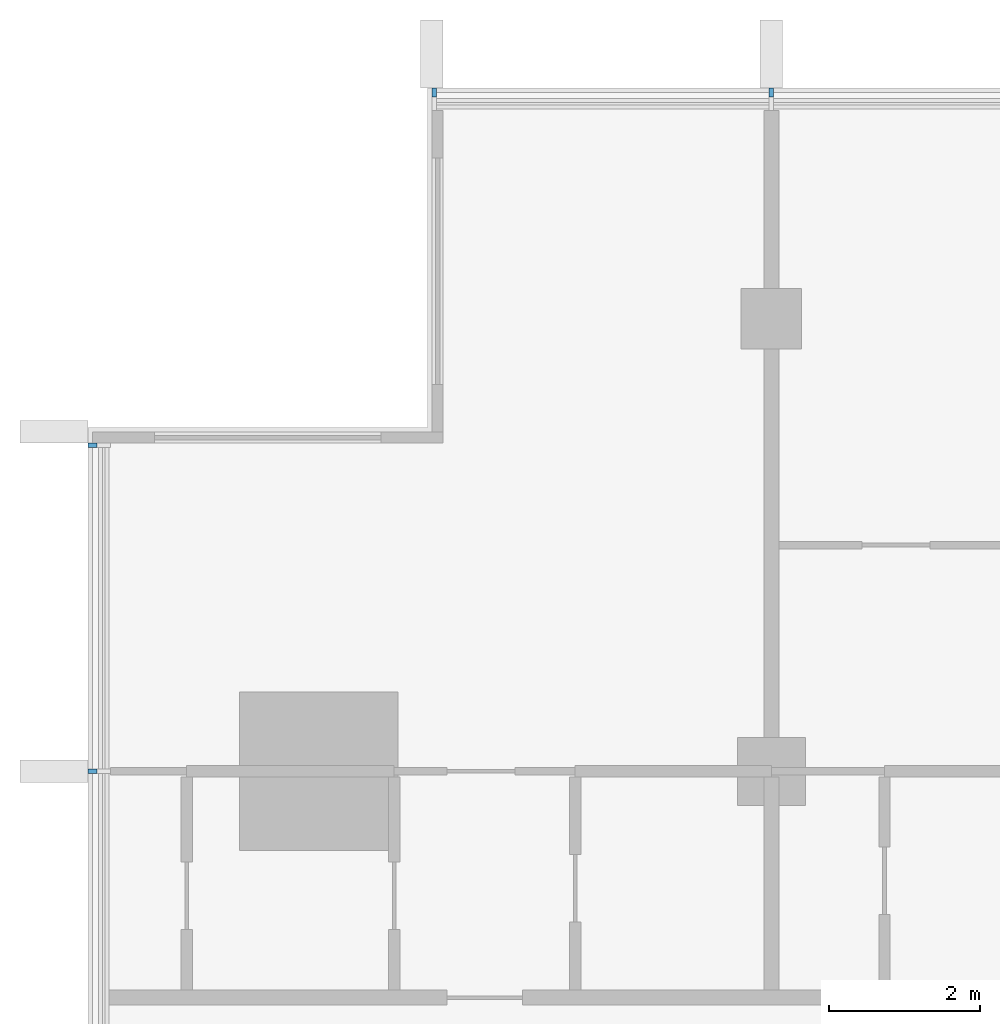
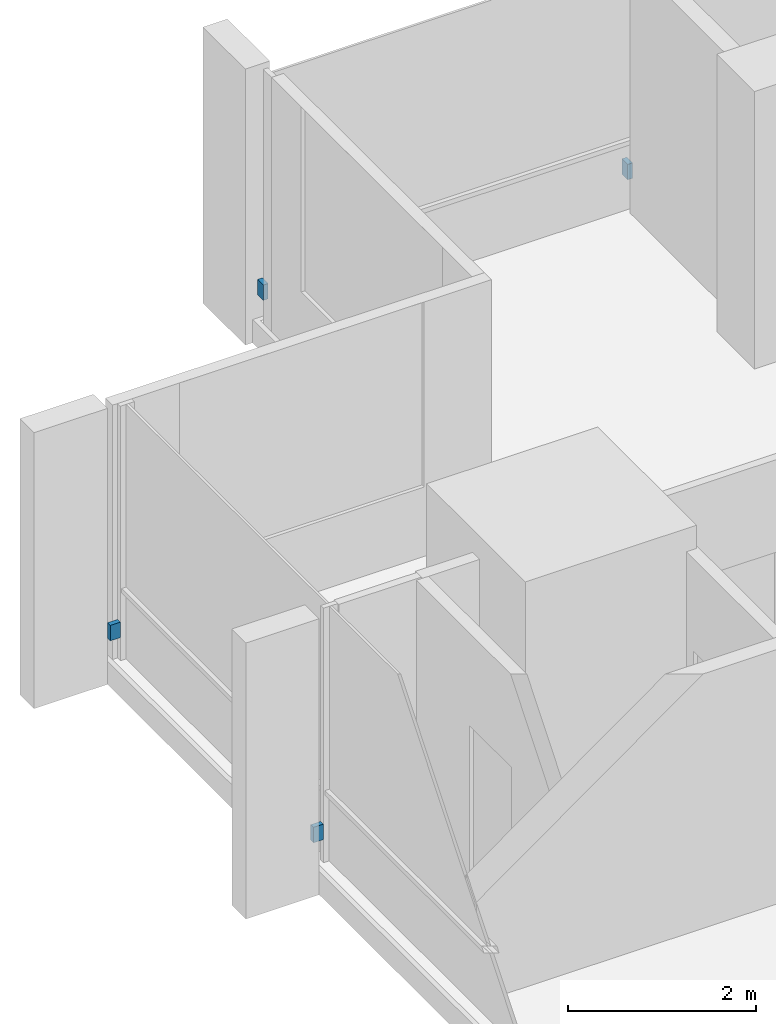
# One storey, part 14 of 16: 4 discrete accessories.
"""IFC4 building model written with IfcOpenShell, lengths in metres."""

import ifcopenshell
import ifcopenshell.guid

model = None  # the IFC model being written
_history = None  # IfcOwnerHistory: only IFC2X3 demands one
_inside = {}  # id of a spatial element -> (the spatial element, [elements in it])
_under = {}  # id of a project, library or spatial element -> (it, [spatial elements below it])
_declared = {}  # id of a project -> (the project, [libraries it declares])
_typed = {}  # id of a type object -> (the type object, [elements of that type])
_made_of = {}  # id of a material, layer set ... -> (it, [elements and type objects made of it])


def new_model(schema):
    """Start an empty IFC model of exactly this schema.

    Asked for "IFC4X3", IfcOpenShell would pick the latest addendum, in which some entities
    have other attributes; the version numbers below select the first issue.
    IFC2X3 requires an IfcOwnerHistory on every rooted entity: one is made here for all.
    """
    global model, _history
    if schema == "IFC4X3":
        model = ifcopenshell.file(schema_version=(4, 3, 0, 0))
    else:
        model = ifcopenshell.file(schema=schema)
    _inside.clear()
    _under.clear()
    _declared.clear()
    _typed.clear()
    _made_of.clear()
    _history = None
    if model.schema == "IFC2X3":
        org = make("IfcOrganization", Name="unknown")
        user = make(
            "IfcPersonAndOrganization",
            ThePerson=make("IfcPerson", FamilyName="unknown"),
            TheOrganization=org,
        )
        app = make(
            "IfcApplication",
            ApplicationDeveloper=org,
            Version="unknown",
            ApplicationFullName="unknown",
            ApplicationIdentifier="unknown",
        )
        _history = make(
            "IfcOwnerHistory",
            OwningUser=user,
            OwningApplication=app,
            ChangeAction="ADDED",
            CreationDate=0,
        )
    return model


def make(cls, **values):
    """One entity of the class cls with the attributes given. An attribute that is None is left unset."""
    return model.create_entity(
        cls, **{name: value for name, value in values.items() if value is not None}
    )


def rooted(cls, **values):
    """An entity with a GlobalId (a new one), such as an element, a storey or a relation."""
    return make(cls, GlobalId=ifcopenshell.guid.new(), OwnerHistory=_history, **values)


def si_unit(unit_type, name, prefix=None):
    """IfcSIUnit, for example si_unit("LENGTHUNIT", "METRE", prefix="MILLI")."""
    return make("IfcSIUnit", UnitType=unit_type, Prefix=prefix, Name=name)


def assignment(units):
    """IfcUnitAssignment: the units of a project."""
    return None if units is None else make("IfcUnitAssignment", Units=units)


def point(xyz):
    """IfcCartesianPoint."""
    return None if xyz is None else make("IfcCartesianPoint", Coordinates=xyz)


def direction(xyz):
    """IfcDirection."""
    return None if xyz is None else make("IfcDirection", DirectionRatios=xyz)


def frame(location, z_axis=None, x_axis=None):
    """IfcAxis2Placement3D, a coordinate frame: its origin and axes. An axis left out is left unset."""
    return make(
        "IfcAxis2Placement3D",
        Location=point(location),
        Axis=direction(z_axis),
        RefDirection=direction(x_axis),
    )


def frame_2d(location, x_axis=None):
    """IfcAxis2Placement2D, a coordinate frame in the plane: its origin and x axis."""
    return make(
        "IfcAxis2Placement2D", Location=point(location), RefDirection=direction(x_axis)
    )


def origin():
    """The frame at (0, 0, 0) with its axes left unset."""
    return frame((0.0, 0.0, 0.0))


def origin_2d():
    """The frame at (0, 0) in the plane with its x axis left unset."""
    return frame_2d((0.0, 0.0))


def place(relative_to, where):
    """IfcLocalPlacement: puts the frame where relative to a parent placement (None: the world)."""
    return make(
        "IfcLocalPlacement", PlacementRelTo=relative_to, RelativePlacement=where
    )


def context(
    kind, dimensions, precision=None, world=None, true_north=None, identifier=None
):
    """IfcGeometricRepresentationContext, for example the 3D "Model" context."""
    return make(
        "IfcGeometricRepresentationContext",
        ContextIdentifier=identifier,
        ContextType=kind,
        CoordinateSpaceDimension=dimensions,
        Precision=precision,
        WorldCoordinateSystem=world,
        TrueNorth=true_north,
    )


def subcontext(parent, identifier, kind, view, scale=None):
    """IfcGeometricRepresentationSubContext, for example "Body" below "Model"."""
    return make(
        "IfcGeometricRepresentationSubContext",
        ContextIdentifier=identifier,
        ContextType=kind,
        ParentContext=parent,
        TargetScale=scale,
        TargetView=view,
    )


def project(units=None, contexts=None):
    """IfcProject with its units and contexts."""
    return rooted(
        "IfcProject",
        Name="project",
        RepresentationContexts=contexts,
        UnitsInContext=assignment(units),
    )


def spatial(cls, under=None, at=None, **own):
    """A site, building, storey or space (cls), placed at a placement, below another one or the project."""
    s = rooted(cls, ObjectPlacement=at, **own)
    if under is not None:
        _under.setdefault(under.id(), (under, []))[1].append(s)
    return s


def profile(cls, at=None, kind="AREA", **sizes):
    """A parametric profile (cls). Its sizes go by their IFC names, for example OverallWidth=200.0."""
    return make(cls, ProfileType=kind, Position=at, **sizes)


def rectangle(**sizes):
    """IfcRectangleProfileDef."""
    return profile("IfcRectangleProfileDef", **sizes)


def extrude(swept, where, along, depth):
    """IfcExtrudedAreaSolid: the profile swept, set in the frame where, extruded along a direction by depth."""
    return make(
        "IfcExtrudedAreaSolid",
        SweptArea=swept,
        Position=where,
        ExtrudedDirection=direction(along),
        Depth=depth,
    )


def shape(context_of_items, identifier, shape_type, items):
    """IfcShapeRepresentation: the items that make up one representation, for example the "Body"."""
    return make(
        "IfcShapeRepresentation",
        ContextOfItems=context_of_items,
        RepresentationIdentifier=identifier,
        RepresentationType=shape_type,
        Items=items,
    )


def material(Name=None, Category=None):
    """IfcMaterial."""
    return make("IfcMaterial", Name=Name, Category=Category)


def made_of(thing, what):
    """Note that an element or type object is made of a material, layer set ...; save() writes the relation."""
    if what is not None:
        _made_of.setdefault(what.id(), (what, []))[1].append(thing)
    return thing


def type_object(cls, material=None, **own):
    """A type object (cls), such as IfcWallType, which elements share."""
    return made_of(rooted(cls, **own), material)


def element(
    cls,
    number,
    at=None,
    inside=None,
    cuts=None,
    type_object=None,
    material=None,
    context=None,
    identifier="Body",
    shape_type=None,
    held_by="IfcProductDefinitionShape",
    body=None,
    shapes=None,
    **own,
):
    """One element of the class cls, such as IfcWall. Its Tag is "e" and its number.

    at: its placement. inside: the storey or other place that contains it. cuts: it is an
    opening in that element (IfcRelVoidsElement). A single representation is given by context,
    identifier, shape_type and body (its items); several are given by shapes. held_by: the class
    of the entity that holds the representations. save() writes the other relations.
    """
    e = rooted(cls, Tag="e%d" % number, ObjectPlacement=at, **own)
    if body is not None:
        shapes = [shape(context, identifier, shape_type, body)]
    if shapes is not None:
        e.Representation = make(held_by, Representations=shapes)
    if inside is not None:
        _inside.setdefault(inside.id(), (inside, []))[1].append(e)
    if cuts is not None:
        rooted(
            "IfcRelVoidsElement", RelatingBuildingElement=cuts, RelatedOpeningElement=e
        )
    if type_object is not None:
        _typed.setdefault(type_object.id(), (type_object, []))[1].append(e)
    return made_of(e, material)


def aggregate(whole, parts):
    """IfcRelAggregates: a whole, such as a stair, and the parts it consists of."""
    return rooted("IfcRelAggregates", RelatingObject=whole, RelatedObjects=parts)


def save(model, path):
    """Write the relations noted so far, then the file.

    IfcRelAggregates (storeys below a building ...), IfcRelContainedInSpatialStructure (elements
    in a storey), IfcRelDefinesByType, IfcRelAssociatesMaterial and IfcRelDeclares: one each for
    every whole, place, type object, material and project.
    """
    for whole, parts in _under.values():
        aggregate(whole, parts)
    for where, things in _inside.values():
        rooted(
            "IfcRelContainedInSpatialStructure",
            RelatedElements=things,
            RelatingStructure=where,
        )
    for kind, things in _typed.values():
        rooted("IfcRelDefinesByType", RelatedObjects=things, RelatingType=kind)
    for what, things in _made_of.values():
        rooted("IfcRelAssociatesMaterial", RelatedObjects=things, RelatingMaterial=what)
    for by, libraries in _declared.values():
        rooted("IfcRelDeclares", RelatingContext=by, RelatedDefinitions=libraries)
    model.write(path)


model = new_model("IFC4")

# Units and contexts
model_context = context("Model", 3, precision=1e-05, world=origin(), true_north=direction((0.0, 1.0)))
body_context = subcontext(model_context, "Body", "Model", "MODEL_VIEW")
ifc_project = project(units=[si_unit("LENGTHUNIT", "METRE"), si_unit("AREAUNIT", "SQUARE_METRE"), si_unit("VOLUMEUNIT", "CUBIC_METRE"), si_unit("PLANEANGLEUNIT", "RADIAN"), si_unit("MASSUNIT", "GRAM", prefix="KILO")], contexts=[model_context])

# Site, building, storey
site_placement = place(None, origin())
site = spatial("IfcSite", under=ifc_project, at=site_placement, CompositionType="ELEMENT")
building_placement = place(site_placement, origin())
building = spatial("IfcBuilding", under=site, at=building_placement, Name="Finial Court Residences", CompositionType="ELEMENT")
storey_placement = place(building_placement, frame((0.0, 0.0, 215.89990234375)))
storey = spatial("IfcBuildingStorey", under=building, at=storey_placement, Name="L54", CompositionType="ELEMENT", Elevation=215.89990234375)

# Discrete accessories
ifc_material = material(Name="Stainless steel 316", Category="steel")
discrete_accessory_type = type_object("IfcDiscreteAccessoryType", Name="Fin bracket, stainless steel 60 x 122 x 200", PredefinedType="BRACKET", material=ifc_material)
for number, where, z_axis, x_axis, name in (
    (1, (-14.969970703125, 16.498779296875, 0.30029296875), (0.0, 0.0, 1.0), (1.0, 0.0, 0.0), "E-L54-FIN-N1-BRK"),
    (2, (-10.5, 16.498779296875, 0.30029296875), (0.0, 0.0, 1.0), (1.0, 0.0, 0.0), "E-L54-FIN-N2-BRK"),
):
    element("IfcDiscreteAccessory", number, at=place(storey_placement, frame(where, z_axis=z_axis, x_axis=x_axis)), inside=storey, type_object=discrete_accessory_type, Name=name, PredefinedType="BRACKET", context=body_context, shape_type="SweptSolid", body=[
        extrude(rectangle(XDim=0.06005859375, YDim=0.12255859375, at=origin_2d()), origin(), (0.0, 0.0, 1.0), 0.199951171875),
    ])
for number, where, z_axis, x_axis, name in (
    (3, (-19.498779296875, 7.5, 0.30029296875), (0.0, 0.0, 1.0), (1.0, 0.0, 0.0), "E-L54-FIN-W25-BRK"),
    (4, (-19.498779296875, 11.820068359375, 0.30029296875), (0.0, 0.0, 1.0), (1.0, 0.0, 0.0), "E-L54-FIN-W26-BRK"),
):
    element("IfcDiscreteAccessory", number, at=place(storey_placement, frame(where, z_axis=z_axis, x_axis=x_axis)), inside=storey, type_object=discrete_accessory_type, Name=name, PredefinedType="BRACKET", context=body_context, shape_type="SweptSolid", body=[
        extrude(rectangle(XDim=0.12255859375, YDim=0.06005859375, at=origin_2d()), origin(), (0.0, 0.0, 1.0), 0.199951171875),
    ])

save(model, "model.ifc")
